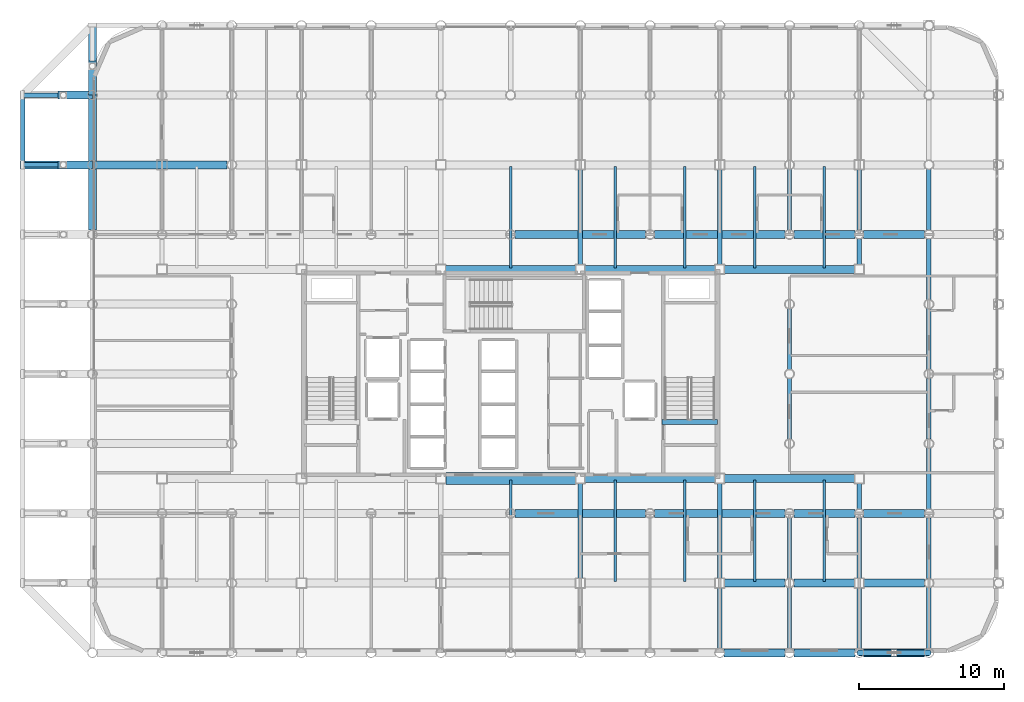
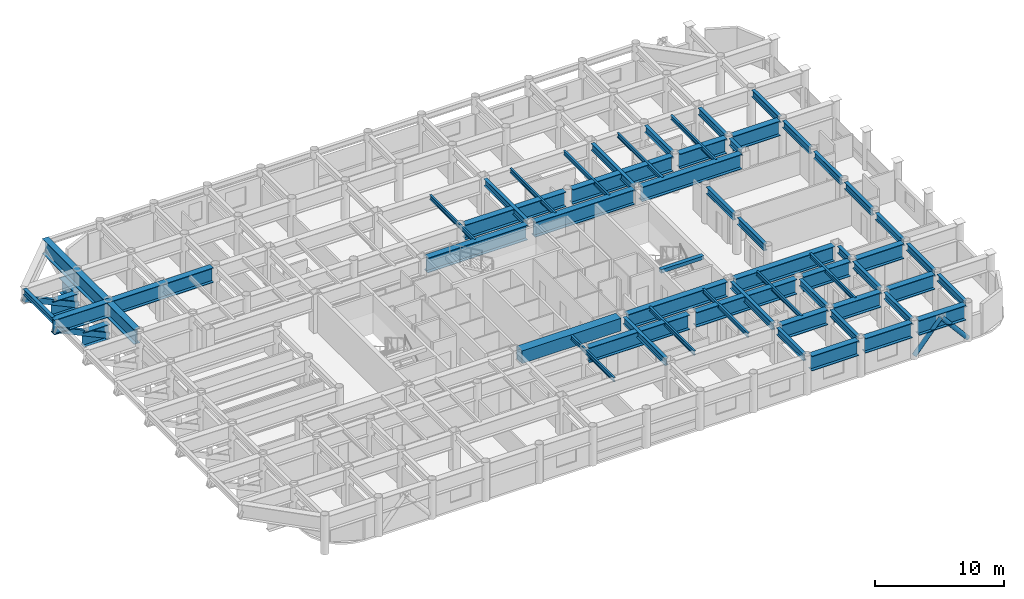
# One storey, part 8 of 23: 59 beams, 4 members.
"""IFC4 building model written with IfcOpenShell, lengths in metres."""

from ifc_helpers import new_model, si_unit, direction, frame, origin, origin_2d, place, context, subcontext, project, spatial, rectangle, hollow_rectangle, hollow_circle, i_section, extrude, material, material_profile, profile_set, type_object, element, save


model = new_model("IFC4")

# Units and contexts
model_context = context("Model", 3, precision=1e-05, world=origin(), true_north=direction((0.0, 1.0)))
body_context = subcontext(model_context, "Body", "Model", "MODEL_VIEW")
ifc_project = project(units=[si_unit("LENGTHUNIT", "METRE"), si_unit("AREAUNIT", "SQUARE_METRE"), si_unit("VOLUMEUNIT", "CUBIC_METRE"), si_unit("PLANEANGLEUNIT", "RADIAN"), si_unit("MASSUNIT", "GRAM", prefix="KILO")], contexts=[model_context])

# Site, building, storey
site_placement = place(None, origin())
site = spatial("IfcSite", under=ifc_project, at=site_placement, CompositionType="ELEMENT")
building_placement = place(site_placement, origin())
building = spatial("IfcBuilding", under=site, at=building_placement, Name="Kallvorn Hotel Tower", CompositionType="ELEMENT")
storey_placement = place(building_placement, frame((0.0, 0.0, 121.10009765625)))
storey = spatial("IfcBuildingStorey", under=building, at=storey_placement, Name="L29", CompositionType="ELEMENT", Elevation=121.10009765625)

# Beams
ifc_material_1 = material(Name="Structural steel S355JR", Category="steel")
ifc_material_profile_1 = material_profile(ifc_material_1, i_section(OverallWidth=0.300048828125, OverallDepth=0.550048828125, WebThickness=0.014892578125, FlangeThickness=0.029052734375, at=origin_2d()), Name="HE 550 B")
ifc_profile_set_1 = profile_set([ifc_material_profile_1], Name="Structural steel S355JR")
beam_type_1 = type_object("IfcBeamType", Name="BM_HE550B", PredefinedType="SPANDREL", material=ifc_profile_set_1)
beam_1_placement = place(storey_placement, frame((-33.60009765625, 14.550048828125, 3.244873046875), z_axis=(0.0, 1.0, 0.0), x_axis=(-1.0, 0.0, 0.0)))
element("IfcBeam", 1, at=beam_1_placement, inside=storey, type_object=beam_type_1, Name="L30 Perimeter Spandrel 189", PredefinedType="SPANDREL", context=body_context, shape_type="SweptSolid", body=[
    extrude(i_section(OverallWidth=0.300048828125, OverallDepth=0.550048828125, WebThickness=0.014892578125, FlangeThickness=0.029052734375, at=origin_2d()), origin(), (0.0, 0.0, 1.0), 4.5),
])
ifc_material_2 = material(Name="Structural steel S355JR", Category="steel")
ifc_material_profile_2 = material_profile(ifc_material_2, i_section(OverallWidth=0.300048828125, OverallDepth=0.64990234375, WebThickness=0.01611328125, FlangeThickness=0.031005859375, at=origin_2d()), Name="HE 650 B")
ifc_profile_set_2 = profile_set([ifc_material_profile_2], Name="Structural steel S355JR")
beam_type_2 = type_object("IfcBeamType", Name="BM_HE650B", PredefinedType="BEAM", material=ifc_profile_set_2)
for number, where, z_axis, x_axis, name in (
    (2, (4.800048828125, -14.074951171875, 3.19482421875), (0.0, 1.0, 0.0), (-1.0, 0.0, 0.0), "L30 Primary Y-Girder 123"),
    (3, (4.800048828125, 7.52490234375, 3.19482421875), (0.0, 1.0, 0.0), (-1.0, 0.0, 0.0), "L30 Primary Y-Girder 124"),
):
    element("IfcBeam", number, at=place(storey_placement, frame(where, z_axis=z_axis, x_axis=x_axis)), inside=storey, type_object=beam_type_2, Name=name, PredefinedType="BEAM", context=body_context, shape_type="SweptSolid", body=[
        extrude(i_section(OverallWidth=0.300048828125, OverallDepth=0.64990234375, WebThickness=0.01611328125, FlangeThickness=0.031005859375, at=origin_2d()), origin(), (0.0, 0.0, 1.0), 6.550048828125),
    ])
beam_2_placement = place(storey_placement, frame((14.39990234375, -18.89501953125, 3.19482421875), z_axis=(0.0, 1.0, 0.0), x_axis=(-1.0, 0.0, 0.0)))
element("IfcBeam", 4, at=beam_2_placement, inside=storey, type_object=beam_type_2, Name="L30 Primary Y-Girder 130", PredefinedType="BEAM", context=body_context, shape_type="SweptSolid", body=[
    extrude(i_section(OverallWidth=0.300048828125, OverallDepth=0.64990234375, WebThickness=0.01611328125, FlangeThickness=0.031005859375, at=origin_2d()), origin(), (0.0, 0.0, 1.0), 4.169921875),
])
for number, where, z_axis, x_axis, name in (
    (5, (14.39990234375, -14.074951171875, 3.19482421875), (0.0, 1.0, 0.0), (-1.0, 0.0, 0.0), "L30 Primary Y-Girder 131"),
    (6, (14.39990234375, 7.52490234375, 3.19482421875), (0.0, 1.0, 0.0), (-1.0, 0.0, 0.0), "L30 Primary Y-Girder 132"),
):
    element("IfcBeam", number, at=place(storey_placement, frame(where, z_axis=z_axis, x_axis=x_axis)), inside=storey, type_object=beam_type_2, Name=name, PredefinedType="BEAM", context=body_context, shape_type="SweptSolid", body=[
        extrude(i_section(OverallWidth=0.300048828125, OverallDepth=0.64990234375, WebThickness=0.01611328125, FlangeThickness=0.031005859375, at=origin_2d()), origin(), (0.0, 0.0, 1.0), 6.550048828125),
    ])
for number, where, z_axis, x_axis, name in (
    (7, (19.199951171875, -18.89501953125, 3.19482421875), (0.0, 1.0, 0.0), (-1.0, 0.0, 0.0), "L30 Primary Y-Girder 135"),
    (8, (19.199951171875, -14.094970703125, 3.19482421875), (0.0, 1.0, 0.0), (-1.0, 0.0, 0.0), "L30 Primary Y-Girder 136"),
):
    element("IfcBeam", number, at=place(storey_placement, frame(where, z_axis=z_axis, x_axis=x_axis)), inside=storey, type_object=beam_type_2, Name=name, PredefinedType="BEAM", context=body_context, shape_type="SweptSolid", body=[
        extrude(i_section(OverallWidth=0.300048828125, OverallDepth=0.64990234375, WebThickness=0.01611328125, FlangeThickness=0.031005859375, at=origin_2d()), origin(), (0.0, 0.0, 1.0), 4.18994140625),
    ])
for number, where, z_axis, x_axis, name in (
    (9, (19.199951171875, -4.4951171875, 3.19482421875), (0.0, 1.0, 0.0), (-1.0, 0.0, 0.0), "L30 Primary Y-Girder 138"),
    (10, (19.199951171875, 0.304931640625, 3.19482421875), (0.0, 1.0, 0.0), (-1.0, 0.0, 0.0), "L30 Primary Y-Girder 139"),
):
    element("IfcBeam", number, at=place(storey_placement, frame(where, z_axis=z_axis, x_axis=x_axis)), inside=storey, type_object=beam_type_2, Name=name, PredefinedType="BEAM", context=body_context, shape_type="SweptSolid", body=[
        extrude(i_section(OverallWidth=0.300048828125, OverallDepth=0.64990234375, WebThickness=0.01611328125, FlangeThickness=0.031005859375, at=origin_2d()), origin(), (0.0, 0.0, 1.0), 4.190185546875),
    ])
beam_3_placement = place(storey_placement, frame((19.199951171875, 9.905029296875, 3.19482421875), z_axis=(0.0, 1.0, 0.0), x_axis=(-1.0, 0.0, 0.0)))
element("IfcBeam", 11, at=beam_3_placement, inside=storey, type_object=beam_type_2, Name="L30 Primary Y-Girder 141", PredefinedType="BEAM", context=body_context, shape_type="SweptSolid", body=[
    extrude(i_section(OverallWidth=0.300048828125, OverallDepth=0.64990234375, WebThickness=0.01611328125, FlangeThickness=0.031005859375, at=origin_2d()), origin(), (0.0, 0.0, 1.0), 4.18994140625),
])
for number, where, z_axis, x_axis, name in (
    (12, (24.0, -18.89501953125, 3.19482421875), (0.0, 1.0, 0.0), (-1.0, 0.0, 0.0), "L30 Primary Y-Girder 144"),
    (13, (24.0, -14.074951171875, 3.19482421875), (0.0, 1.0, 0.0), (-1.0, 0.0, 0.0), "L30 Primary Y-Girder 145"),
):
    element("IfcBeam", number, at=place(storey_placement, frame(where, z_axis=z_axis, x_axis=x_axis)), inside=storey, type_object=beam_type_2, Name=name, PredefinedType="BEAM", context=body_context, shape_type="SweptSolid", body=[
        extrude(i_section(OverallWidth=0.300048828125, OverallDepth=0.64990234375, WebThickness=0.01611328125, FlangeThickness=0.031005859375, at=origin_2d()), origin(), (0.0, 0.0, 1.0), 4.169921875),
    ])
for number, where, z_axis, x_axis, name in (
    (14, (24.0, -9.294921875, 3.19482421875), (0.0, 1.0, 0.0), (-1.0, 0.0, 0.0), "L30 Primary Y-Girder 146"),
    (15, (24.0, 7.52490234375, 3.19482421875), (0.0, 1.0, 0.0), (-1.0, 0.0, 0.0), "L30 Primary Y-Girder 147"),
):
    element("IfcBeam", number, at=place(storey_placement, frame(where, z_axis=z_axis, x_axis=x_axis)), inside=storey, type_object=beam_type_2, Name=name, PredefinedType="BEAM", context=body_context, shape_type="SweptSolid", body=[
        extrude(i_section(OverallWidth=0.300048828125, OverallDepth=0.64990234375, WebThickness=0.01611328125, FlangeThickness=0.031005859375, at=origin_2d()), origin(), (0.0, 0.0, 1.0), 1.77001953125),
    ])
beam_4_placement = place(storey_placement, frame((24.0, 9.905029296875, 3.19482421875), z_axis=(0.0, 1.0, 0.0), x_axis=(-1.0, 0.0, 0.0)))
element("IfcBeam", 16, at=beam_4_placement, inside=storey, type_object=beam_type_2, Name="L30 Primary Y-Girder 148", PredefinedType="BEAM", context=body_context, shape_type="SweptSolid", body=[
    extrude(i_section(OverallWidth=0.300048828125, OverallDepth=0.64990234375, WebThickness=0.01611328125, FlangeThickness=0.031005859375, at=origin_2d()), origin(), (0.0, 0.0, 1.0), 4.169921875),
])
for number, where, z_axis, x_axis, name in (
    (17, (28.800048828125, -18.89501953125, 3.19482421875), (0.0, 1.0, 0.0), (-1.0, 0.0, 0.0), "L30 Primary Y-Girder 151"),
    (18, (28.800048828125, -14.094970703125, 3.19482421875), (0.0, 1.0, 0.0), (-1.0, 0.0, 0.0), "L30 Primary Y-Girder 152"),
    (19, (28.800048828125, -9.294921875, 3.19482421875), (0.0, 1.0, 0.0), (-1.0, 0.0, 0.0), "L30 Primary Y-Girder 153"),
):
    element("IfcBeam", number, at=place(storey_placement, frame(where, z_axis=z_axis, x_axis=x_axis)), inside=storey, type_object=beam_type_2, Name=name, PredefinedType="BEAM", context=body_context, shape_type="SweptSolid", body=[
        extrude(i_section(OverallWidth=0.300048828125, OverallDepth=0.64990234375, WebThickness=0.01611328125, FlangeThickness=0.031005859375, at=origin_2d()), origin(), (0.0, 0.0, 1.0), 4.18994140625),
    ])
for number, where, z_axis, x_axis, name in (
    (20, (28.800048828125, -4.4951171875, 3.19482421875), (0.0, 1.0, 0.0), (-1.0, 0.0, 0.0), "L30 Primary Y-Girder 154"),
    (21, (28.800048828125, 0.304931640625, 3.19482421875), (0.0, 1.0, 0.0), (-1.0, 0.0, 0.0), "L30 Primary Y-Girder 155"),
):
    element("IfcBeam", number, at=place(storey_placement, frame(where, z_axis=z_axis, x_axis=x_axis)), inside=storey, type_object=beam_type_2, Name=name, PredefinedType="BEAM", context=body_context, shape_type="SweptSolid", body=[
        extrude(i_section(OverallWidth=0.300048828125, OverallDepth=0.64990234375, WebThickness=0.01611328125, FlangeThickness=0.031005859375, at=origin_2d()), origin(), (0.0, 0.0, 1.0), 4.190185546875),
    ])
for number, where, z_axis, x_axis, name in (
    (22, (28.800048828125, 5.10498046875, 3.19482421875), (0.0, 1.0, 0.0), (-1.0, 0.0, 0.0), "L30 Primary Y-Girder 156"),
    (23, (28.800048828125, 9.905029296875, 3.19482421875), (0.0, 1.0, 0.0), (-1.0, 0.0, 0.0), "L30 Primary Y-Girder 157"),
):
    element("IfcBeam", number, at=place(storey_placement, frame(where, z_axis=z_axis, x_axis=x_axis)), inside=storey, type_object=beam_type_2, Name=name, PredefinedType="BEAM", context=body_context, shape_type="SweptSolid", body=[
        extrude(i_section(OverallWidth=0.300048828125, OverallDepth=0.64990234375, WebThickness=0.01611328125, FlangeThickness=0.031005859375, at=origin_2d()), origin(), (0.0, 0.0, 1.0), 4.18994140625),
    ])
ifc_material_3 = material(Name="Structural steel S355JR", Category="steel")
ifc_material_profile_3 = material_profile(ifc_material_3, i_section(OverallWidth=0.179931640625, OverallDepth=0.39990234375, WebThickness=0.008544921875, FlangeThickness=0.013427734375, at=origin_2d()), Name="IPE 400")
ifc_profile_set_3 = profile_set([ifc_material_profile_3], Name="Structural steel S355JR")
beam_type_3 = type_object("IfcBeamType", Name="BM_IPE400", PredefinedType="JOIST", material=ifc_profile_set_3)
for number, where, z_axis, x_axis, name in (
    (24, (0.0, -14.300048828125, 3.31982421875), (0.0, 1.0, 0.0), (-1.0, 0.0, 0.0), "L30 Secondary Composite Joist 209"),
    (25, (0.0, 7.300048828125, 3.31982421875), (0.0, 1.0, 0.0), (-1.0, 0.0, 0.0), "L30 Secondary Composite Joist 210"),
    (26, (7.199951171875, -14.300048828125, 3.31982421875), (0.0, 1.0, 0.0), (-1.0, 0.0, 0.0), "L30 Secondary Composite Joist 211"),
    (27, (7.199951171875, 7.300048828125, 3.31982421875), (0.0, 1.0, 0.0), (-1.0, 0.0, 0.0), "L30 Secondary Composite Joist 212"),
    (28, (12.0, -14.300048828125, 3.31982421875), (0.0, 1.0, 0.0), (-1.0, 0.0, 0.0), "L30 Secondary Composite Joist 213"),
    (29, (12.0, 7.300048828125, 3.31982421875), (0.0, 1.0, 0.0), (-1.0, 0.0, 0.0), "L30 Secondary Composite Joist 214"),
    (30, (16.800048828125, -14.300048828125, 3.31982421875), (0.0, 1.0, 0.0), (-1.0, 0.0, 0.0), "L30 Secondary Composite Joist 215"),
    (31, (16.800048828125, 7.300048828125, 3.31982421875), (0.0, 1.0, 0.0), (-1.0, 0.0, 0.0), "L30 Secondary Composite Joist 216"),
    (32, (21.60009765625, -14.300048828125, 3.31982421875), (0.0, 1.0, 0.0), (-1.0, 0.0, 0.0), "L30 Secondary Composite Joist 217"),
    (33, (21.60009765625, 7.300048828125, 3.31982421875), (0.0, 1.0, 0.0), (-1.0, 0.0, 0.0), "L30 Secondary Composite Joist 218"),
):
    element("IfcBeam", number, at=place(storey_placement, frame(where, z_axis=z_axis, x_axis=x_axis)), inside=storey, type_object=beam_type_3, Name=name, PredefinedType="JOIST", context=body_context, shape_type="SweptSolid", body=[
        extrude(i_section(OverallWidth=0.179931640625, OverallDepth=0.39990234375, WebThickness=0.008544921875, FlangeThickness=0.013427734375, at=origin_2d()), origin(), (0.0, 0.0, 1.0), 7.0),
    ])
ifc_material_4 = material(Name="Structural steel S355JR", Category="steel")
ifc_material_profile_4 = material_profile(ifc_material_4, i_section(OverallWidth=0.550048828125, OverallDepth=1.39990234375, WebThickness=0.02490234375, FlangeThickness=0.044921875, at=origin_2d()), Name="PG 1400x550x25x45")
ifc_profile_set_4 = profile_set([ifc_material_profile_4], Name="Structural steel S355JR")
beam_type_4 = type_object("IfcBeamType", Name="BM_PG_1400", PredefinedType="BEAM", material=ifc_profile_set_4)
beam_5_placement = place(storey_placement, frame((-19.52001953125, 14.39990234375, 2.81982421875), z_axis=(-1.0, 0.0, 0.0), x_axis=(0.0, -1.0, 0.0)))
element("IfcBeam", 34, at=beam_5_placement, inside=storey, type_object=beam_type_4, Name="L30 Continuous Cantilever Transfer Girder 07", PredefinedType="BEAM", context=body_context, shape_type="SweptSolid", body=[
    extrude(i_section(OverallWidth=0.550048828125, OverallDepth=1.39990234375, WebThickness=0.02490234375, FlangeThickness=0.044921875, at=origin_2d()), origin(), (0.0, 0.0, 1.0), 14.260009765625),
])
for number, where, z_axis, x_axis, name in (
    (35, (-28.800048828125, 14.39990234375, 0.719970703125), (-1.0, 0.0, 0.0), (0.0, -1.0, 0.0), "L30 Cantilever Haunch Corbel 07"),
    (36, (-28.800048828125, 19.199951171875, 0.719970703125), (-1.0, 0.0, 0.0), (0.0, -1.0, 0.0), "L30 Cantilever Haunch Corbel 08"),
):
    element("IfcBeam", number, at=place(storey_placement, frame(where, z_axis=z_axis, x_axis=x_axis)), inside=storey, type_object=beam_type_4, Name=name, PredefinedType="BEAM", context=body_context, shape_type="SweptSolid", body=[
        extrude(i_section(OverallWidth=0.550048828125, OverallDepth=1.39990234375, WebThickness=0.02490234375, FlangeThickness=0.044921875, at=origin_2d()), origin(), (0.0, 0.0, 1.0), 2.349853515625),
    ])
beam_6_placement = place(storey_placement, frame((-28.800048828125, 9.919921875, 2.81982421875), z_axis=(0.0, 1.0, 0.0), x_axis=(-1.0, 0.0, 0.0)))
element("IfcBeam", 37, at=beam_6_placement, inside=storey, type_object=beam_type_4, Name="L30 Continuous Cantilever Transfer Girder 09", PredefinedType="BEAM", context=body_context, shape_type="SweptSolid", body=[
    extrude(i_section(OverallWidth=0.550048828125, OverallDepth=1.39990234375, WebThickness=0.02490234375, FlangeThickness=0.044921875, at=origin_2d()), origin(), (0.0, 0.0, 1.0), 14.260009765625),
])
beam_7_placement = place(storey_placement, frame((-28.800048828125, 19.199951171875, 0.719970703125), z_axis=(0.0, 1.0, 0.0), x_axis=(-1.0, 0.0, 0.0)))
element("IfcBeam", 38, at=beam_7_placement, inside=storey, type_object=beam_type_4, Name="L30 Cantilever Haunch Corbel 09", PredefinedType="BEAM", context=body_context, shape_type="SweptSolid", body=[
    extrude(i_section(OverallWidth=0.550048828125, OverallDepth=1.39990234375, WebThickness=0.02490234375, FlangeThickness=0.044921875, at=origin_2d()), origin(), (0.0, 0.0, 1.0), 2.35009765625),
])
beam_8_placement = place(storey_placement, frame((14.705078125, -19.199951171875, 2.81982421875), z_axis=(1.0, 0.0, 0.0), x_axis=(0.0, 1.0, 0.0)))
element("IfcBeam", 39, at=beam_8_placement, inside=storey, type_object=beam_type_4, Name="L30 Primary X-Girder 19", PredefinedType="BEAM", context=body_context, shape_type="SweptSolid", body=[
    extrude(i_section(OverallWidth=0.550048828125, OverallDepth=1.39990234375, WebThickness=0.02490234375, FlangeThickness=0.044921875, at=origin_2d()), origin(), (0.0, 0.0, 1.0), 4.18994140625),
])
for number, where, z_axis, x_axis, name in (
    (40, (19.5048828125, -19.199951171875, 2.81982421875), (1.0, 0.0, 0.0), (0.0, 1.0, 0.0), "L30 Primary X-Girder 20"),
    (41, (24.304931640625, -19.199951171875, 2.81982421875), (1.0, 0.0, 0.0), (0.0, 1.0, 0.0), "L30 Primary X-Girder 21"),
):
    element("IfcBeam", number, at=place(storey_placement, frame(where, z_axis=z_axis, x_axis=x_axis)), inside=storey, type_object=beam_type_4, Name=name, PredefinedType="BEAM", context=body_context, shape_type="SweptSolid", body=[
        extrude(i_section(OverallWidth=0.550048828125, OverallDepth=1.39990234375, WebThickness=0.02490234375, FlangeThickness=0.044921875, at=origin_2d()), origin(), (0.0, 0.0, 1.0), 4.190185546875),
    ])
beam_9_placement = place(storey_placement, frame((14.72509765625, -14.39990234375, 2.81982421875), z_axis=(1.0, 0.0, 0.0), x_axis=(0.0, 1.0, 0.0)))
element("IfcBeam", 42, at=beam_9_placement, inside=storey, type_object=beam_type_4, Name="L30 Primary X-Girder 28", PredefinedType="BEAM", context=body_context, shape_type="SweptSolid", body=[
    extrude(i_section(OverallWidth=0.550048828125, OverallDepth=1.39990234375, WebThickness=0.02490234375, FlangeThickness=0.044921875, at=origin_2d()), origin(), (0.0, 0.0, 1.0), 4.169921875),
])
for number, where, z_axis, x_axis, name in (
    (43, (19.5048828125, -14.39990234375, 2.81982421875), (1.0, 0.0, 0.0), (0.0, 1.0, 0.0), "L30 Primary X-Girder 29"),
    (44, (24.324951171875, -14.39990234375, 2.81982421875), (1.0, 0.0, 0.0), (0.0, 1.0, 0.0), "L30 Primary X-Girder 30"),
):
    element("IfcBeam", number, at=place(storey_placement, frame(where, z_axis=z_axis, x_axis=x_axis)), inside=storey, type_object=beam_type_4, Name=name, PredefinedType="BEAM", context=body_context, shape_type="SweptSolid", body=[
        extrude(i_section(OverallWidth=0.550048828125, OverallDepth=1.39990234375, WebThickness=0.02490234375, FlangeThickness=0.044921875, at=origin_2d()), origin(), (0.0, 0.0, 1.0), 4.170166015625),
    ])
for number, where, z_axis, x_axis, name in (
    (45, (0.304931640625, -9.60009765625, 2.81982421875), (1.0, 0.0, 0.0), (0.0, 1.0, 0.0), "L30 Primary X-Girder 36"),
    (46, (9.905029296875, -9.60009765625, 2.81982421875), (1.0, 0.0, 0.0), (0.0, 1.0, 0.0), "L30 Primary X-Girder 37"),
):
    element("IfcBeam", number, at=place(storey_placement, frame(where, z_axis=z_axis, x_axis=x_axis)), inside=storey, type_object=beam_type_4, Name=name, PredefinedType="BEAM", context=body_context, shape_type="SweptSolid", body=[
        extrude(i_section(OverallWidth=0.550048828125, OverallDepth=1.39990234375, WebThickness=0.02490234375, FlangeThickness=0.044921875, at=origin_2d()), origin(), (0.0, 0.0, 1.0), 8.989990234375),
    ])
for number, where, z_axis, x_axis, name in (
    (47, (19.5048828125, -9.60009765625, 2.81982421875), (1.0, 0.0, 0.0), (0.0, 1.0, 0.0), "L30 Primary X-Girder 38"),
    (48, (24.304931640625, -9.60009765625, 2.81982421875), (1.0, 0.0, 0.0), (0.0, 1.0, 0.0), "L30 Primary X-Girder 39"),
):
    element("IfcBeam", number, at=place(storey_placement, frame(where, z_axis=z_axis, x_axis=x_axis)), inside=storey, type_object=beam_type_4, Name=name, PredefinedType="BEAM", context=body_context, shape_type="SweptSolid", body=[
        extrude(i_section(OverallWidth=0.550048828125, OverallDepth=1.39990234375, WebThickness=0.02490234375, FlangeThickness=0.044921875, at=origin_2d()), origin(), (0.0, 0.0, 1.0), 4.190185546875),
    ])
for number, where, z_axis, x_axis, name in (
    (49, (5.125, -7.199951171875, 2.81982421875), (1.0, 0.0, 0.0), (0.0, 1.0, 0.0), "L30 Primary X-Girder 43"),
    (50, (14.72509765625, -7.199951171875, 2.81982421875), (1.0, 0.0, 0.0), (0.0, 1.0, 0.0), "L30 Primary X-Girder 44"),
):
    element("IfcBeam", number, at=place(storey_placement, frame(where, z_axis=z_axis, x_axis=x_axis)), inside=storey, type_object=beam_type_4, Name=name, PredefinedType="BEAM", context=body_context, shape_type="SweptSolid", body=[
        extrude(i_section(OverallWidth=0.550048828125, OverallDepth=1.39990234375, WebThickness=0.02490234375, FlangeThickness=0.044921875, at=origin_2d()), origin(), (0.0, 0.0, 1.0), 8.949951171875),
    ])
beam_10_placement = place(storey_placement, frame((-4.47509765625, 7.199951171875, 2.81982421875), z_axis=(1.0, 0.0, 0.0), x_axis=(0.0, 1.0, 0.0)))
element("IfcBeam", 51, at=beam_10_placement, inside=storey, type_object=beam_type_4, Name="L30 Primary X-Girder 47", PredefinedType="BEAM", context=body_context, shape_type="SweptSolid", body=[
    extrude(i_section(OverallWidth=0.550048828125, OverallDepth=1.39990234375, WebThickness=0.02490234375, FlangeThickness=0.044921875, at=origin_2d()), origin(), (0.0, 0.0, 1.0), 8.9501953125),
])
for number, where, z_axis, x_axis, name in (
    (52, (5.125, 7.199951171875, 2.81982421875), (1.0, 0.0, 0.0), (0.0, 1.0, 0.0), "L30 Primary X-Girder 48"),
    (53, (14.72509765625, 7.199951171875, 2.81982421875), (1.0, 0.0, 0.0), (0.0, 1.0, 0.0), "L30 Primary X-Girder 49"),
):
    element("IfcBeam", number, at=place(storey_placement, frame(where, z_axis=z_axis, x_axis=x_axis)), inside=storey, type_object=beam_type_4, Name=name, PredefinedType="BEAM", context=body_context, shape_type="SweptSolid", body=[
        extrude(i_section(OverallWidth=0.550048828125, OverallDepth=1.39990234375, WebThickness=0.02490234375, FlangeThickness=0.044921875, at=origin_2d()), origin(), (0.0, 0.0, 1.0), 8.949951171875),
    ])
for number, where, z_axis, x_axis, name in (
    (54, (0.304931640625, 9.60009765625, 2.81982421875), (1.0, 0.0, 0.0), (0.0, 1.0, 0.0), "L30 Primary X-Girder 54"),
    (55, (9.905029296875, 9.60009765625, 2.81982421875), (1.0, 0.0, 0.0), (0.0, 1.0, 0.0), "L30 Primary X-Girder 55"),
):
    element("IfcBeam", number, at=place(storey_placement, frame(where, z_axis=z_axis, x_axis=x_axis)), inside=storey, type_object=beam_type_4, Name=name, PredefinedType="BEAM", context=body_context, shape_type="SweptSolid", body=[
        extrude(i_section(OverallWidth=0.550048828125, OverallDepth=1.39990234375, WebThickness=0.02490234375, FlangeThickness=0.044921875, at=origin_2d()), origin(), (0.0, 0.0, 1.0), 8.989990234375),
    ])
for number, where, z_axis, x_axis, name in (
    (56, (19.5048828125, 9.60009765625, 2.81982421875), (1.0, 0.0, 0.0), (0.0, 1.0, 0.0), "L30 Primary X-Girder 56"),
    (57, (24.304931640625, 9.60009765625, 2.81982421875), (1.0, 0.0, 0.0), (0.0, 1.0, 0.0), "L30 Primary X-Girder 57"),
):
    element("IfcBeam", number, at=place(storey_placement, frame(where, z_axis=z_axis, x_axis=x_axis)), inside=storey, type_object=beam_type_4, Name=name, PredefinedType="BEAM", context=body_context, shape_type="SweptSolid", body=[
        extrude(i_section(OverallWidth=0.550048828125, OverallDepth=1.39990234375, WebThickness=0.02490234375, FlangeThickness=0.044921875, at=origin_2d()), origin(), (0.0, 0.0, 1.0), 4.190185546875),
    ])
ifc_material_5 = material(Name="Concrete C50/60", Category="concrete")
ifc_material_profile_5 = material_profile(ifc_material_5, rectangle(XDim=0.360107421875, YDim=0.340087890625, at=origin_2d()), Name="RC 360x340")
ifc_profile_set_5 = profile_set([ifc_material_profile_5], Name="Concrete C50/60")
beam_type_5 = type_object("IfcBeamType", Name="BM_RC_400x360", PredefinedType="BEAM", material=ifc_profile_set_5)
beam_11_placement = place(storey_placement, frame((14.239990234375, -3.31005859375, 3.349853515625), z_axis=(-1.0, 0.0, 0.0), x_axis=(0.0, -1.0, 0.0)))
element("IfcBeam", 58, at=beam_11_placement, inside=storey, type_object=beam_type_5, Name="L30 Stair ST2 Arrival Trimmer Beam", PredefinedType="BEAM", context=body_context, shape_type="SweptSolid", body=[
    extrude(rectangle(XDim=0.360107421875, YDim=0.340087890625, at=origin_2d()), origin(), (0.0, 0.0, 1.0), 3.820068359375),
])
ifc_material_6 = material(Name="Concrete C50/60", Category="concrete")
ifc_material_profile_6 = material_profile(ifc_material_6, rectangle(XDim=0.800048828125, YDim=1.199951171875, at=origin_2d()), Name="RC 800x1200")
ifc_profile_set_6 = profile_set([ifc_material_profile_6], Name="Concrete C50/60")
beam_type_6 = type_object("IfcBeamType", Name="BM_RC_800x1200", PredefinedType="T_BEAM", material=ifc_profile_set_6)
beam_12_placement = place(storey_placement, frame((-4.449951171875, -7.199951171875, 2.919921875), z_axis=(1.0, 0.0, 0.0), x_axis=(0.0, 1.0, 0.0)))
element("IfcBeam", 59, at=beam_12_placement, inside=storey, type_object=beam_type_6, Name="L29 Core Coupling Beam South", PredefinedType="T_BEAM", context=body_context, shape_type="SweptSolid", body=[
    extrude(rectangle(XDim=0.800048828125, YDim=1.199951171875, at=origin_2d()), origin(), (0.0, 0.0, 1.0), 8.89990234375),
])

# Members
ifc_material_7 = material(Name="Structural steel S355J2H", Category="steel")
ifc_material_profile_7 = material_profile(ifc_material_7, hollow_circle(Radius=0.203125, WallThickness=0.01611328125, at=origin_2d()), Name="CHS 406.4x16")
ifc_profile_set_7 = profile_set([ifc_material_profile_7], Name="Structural steel S355J2H")
member_type_1 = type_object("IfcMemberType", Name="MBR_EXO_CHS406", PredefinedType="BRACE", material=ifc_profile_set_7)
for number, where, z_axis, x_axis, name in (
    (60, (24.012939453125, -19.199951171875, 0.1953125), (0.646833296797, 0.0, 0.762631422218), (0.0, 1.0, 0.0), "L29 Exoskeleton K-Brace S2A"),
    (61, (28.787109375, -19.199951171875, 0.1953125), (-0.646833296797, 0.0, 0.762631422218), (0.0, -1.0, 0.0), "L29 Exoskeleton K-Brace S2B"),
):
    element("IfcMember", number, at=place(storey_placement, frame(where, z_axis=z_axis, x_axis=x_axis)), inside=storey, type_object=member_type_1, Name=name, PredefinedType="BRACE", context=body_context, shape_type="SweptSolid", body=[
        extrude(hollow_circle(Radius=0.203125, WallThickness=0.01611328125, at=origin_2d()), origin(), (0.0, 0.0, 1.0), 3.670654296875),
    ])
ifc_material_8 = material(Name="Structural steel S355J2H", Category="steel")
ifc_material_profile_8 = material_profile(ifc_material_8, hollow_rectangle(XDim=0.300048828125, YDim=0.5, WallThickness=0.02490234375, at=origin_2d()), Name="RHS 500x300x25")
ifc_profile_set_8 = profile_set([ifc_material_profile_8], Name="Structural steel S355J2H")
member_type_2 = type_object("IfcMemberType", Name="MBR_OUTRIGGER_RHS500", PredefinedType="BRACE", material=ifc_profile_set_8)
for number, where, z_axis, x_axis, name in (
    (62, (-28.800048828125, 14.39990234375, 0.25), (-0.907630778312, 0.0, 0.419769425115), (0.0, -1.0, 0.0), "L30 Exoskeleton Cantilever Raking Strut 07"),
    (63, (-28.800048828125, 19.199951171875, 0.25), (-0.907630778312, 0.0, 0.419769425115), (0.0, -1.0, 0.0), "L30 Exoskeleton Cantilever Raking Strut 08"),
):
    element("IfcMember", number, at=place(storey_placement, frame(where, z_axis=z_axis, x_axis=x_axis)), inside=storey, type_object=member_type_2, Name=name, PredefinedType="BRACE", context=body_context, shape_type="SweptSolid", body=[
        extrude(hollow_rectangle(XDim=0.300048828125, YDim=0.5, WallThickness=0.02490234375, at=origin_2d()), origin(), (0.0, 0.0, 1.0), 5.28857421875),
    ])

save(model, "model.ifc")
